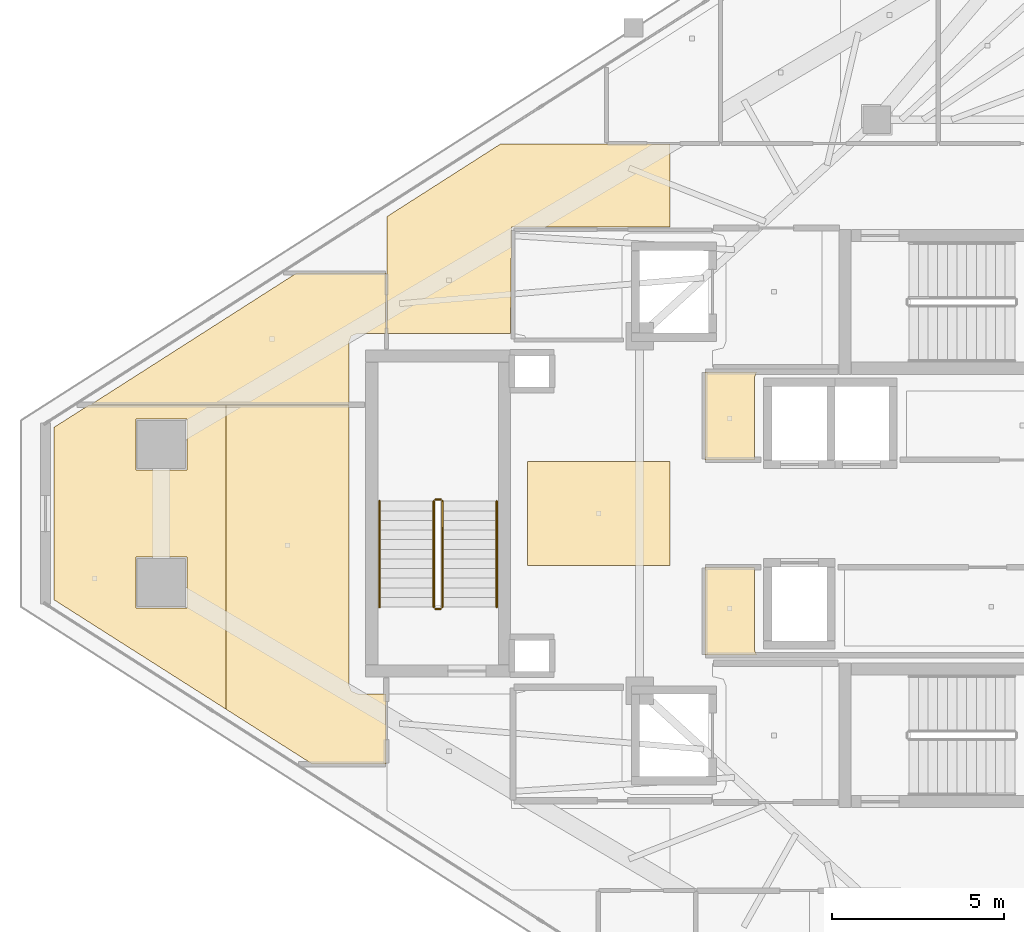
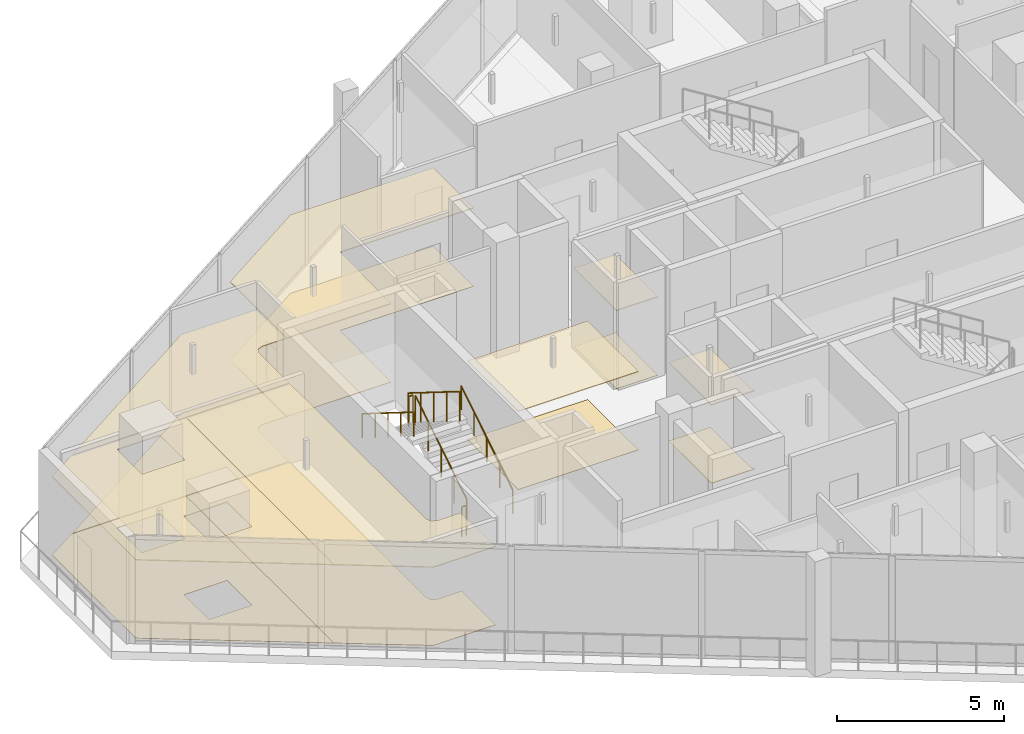
# One storey, part 21 of 24: 14 coverings, 6 railings.
"""IFC4 building model written with IfcOpenShell, lengths in metres."""

import ifcopenshell
import ifcopenshell.guid

model = None  # the IFC model being written
_history = None  # IfcOwnerHistory: only IFC2X3 demands one
_inside = {}  # id of a spatial element -> (the spatial element, [elements in it])
_under = {}  # id of a project, library or spatial element -> (it, [spatial elements below it])
_declared = {}  # id of a project -> (the project, [libraries it declares])
_typed = {}  # id of a type object -> (the type object, [elements of that type])
_made_of = {}  # id of a material, layer set ... -> (it, [elements and type objects made of it])


def new_model(schema):
    """Start an empty IFC model of exactly this schema.

    Asked for "IFC4X3", IfcOpenShell would pick the latest addendum, in which some entities
    have other attributes; the version numbers below select the first issue.
    IFC2X3 requires an IfcOwnerHistory on every rooted entity: one is made here for all.
    """
    global model, _history
    if schema == "IFC4X3":
        model = ifcopenshell.file(schema_version=(4, 3, 0, 0))
    else:
        model = ifcopenshell.file(schema=schema)
    _inside.clear()
    _under.clear()
    _declared.clear()
    _typed.clear()
    _made_of.clear()
    _history = None
    if model.schema == "IFC2X3":
        org = make("IfcOrganization", Name="unknown")
        user = make(
            "IfcPersonAndOrganization",
            ThePerson=make("IfcPerson", FamilyName="unknown"),
            TheOrganization=org,
        )
        app = make(
            "IfcApplication",
            ApplicationDeveloper=org,
            Version="unknown",
            ApplicationFullName="unknown",
            ApplicationIdentifier="unknown",
        )
        _history = make(
            "IfcOwnerHistory",
            OwningUser=user,
            OwningApplication=app,
            ChangeAction="ADDED",
            CreationDate=0,
        )
    return model


def make(cls, **values):
    """One entity of the class cls with the attributes given. An attribute that is None is left unset."""
    return model.create_entity(
        cls, **{name: value for name, value in values.items() if value is not None}
    )


def rooted(cls, **values):
    """An entity with a GlobalId (a new one), such as an element, a storey or a relation."""
    return make(cls, GlobalId=ifcopenshell.guid.new(), OwnerHistory=_history, **values)


def si_unit(unit_type, name, prefix=None):
    """IfcSIUnit, for example si_unit("LENGTHUNIT", "METRE", prefix="MILLI")."""
    return make("IfcSIUnit", UnitType=unit_type, Prefix=prefix, Name=name)


def assignment(units):
    """IfcUnitAssignment: the units of a project."""
    return None if units is None else make("IfcUnitAssignment", Units=units)


def point(xyz):
    """IfcCartesianPoint."""
    return None if xyz is None else make("IfcCartesianPoint", Coordinates=xyz)


def direction(xyz):
    """IfcDirection."""
    return None if xyz is None else make("IfcDirection", DirectionRatios=xyz)


def frame(location, z_axis=None, x_axis=None):
    """IfcAxis2Placement3D, a coordinate frame: its origin and axes. An axis left out is left unset."""
    return make(
        "IfcAxis2Placement3D",
        Location=point(location),
        Axis=direction(z_axis),
        RefDirection=direction(x_axis),
    )


def frame_2d(location, x_axis=None):
    """IfcAxis2Placement2D, a coordinate frame in the plane: its origin and x axis."""
    return make(
        "IfcAxis2Placement2D", Location=point(location), RefDirection=direction(x_axis)
    )


def origin():
    """The frame at (0, 0, 0) with its axes left unset."""
    return frame((0.0, 0.0, 0.0))


def origin_2d():
    """The frame at (0, 0) in the plane with its x axis left unset."""
    return frame_2d((0.0, 0.0))


def place(relative_to, where):
    """IfcLocalPlacement: puts the frame where relative to a parent placement (None: the world)."""
    return make(
        "IfcLocalPlacement", PlacementRelTo=relative_to, RelativePlacement=where
    )


def context(
    kind, dimensions, precision=None, world=None, true_north=None, identifier=None
):
    """IfcGeometricRepresentationContext, for example the 3D "Model" context."""
    return make(
        "IfcGeometricRepresentationContext",
        ContextIdentifier=identifier,
        ContextType=kind,
        CoordinateSpaceDimension=dimensions,
        Precision=precision,
        WorldCoordinateSystem=world,
        TrueNorth=true_north,
    )


def subcontext(parent, identifier, kind, view, scale=None):
    """IfcGeometricRepresentationSubContext, for example "Body" below "Model"."""
    return make(
        "IfcGeometricRepresentationSubContext",
        ContextIdentifier=identifier,
        ContextType=kind,
        ParentContext=parent,
        TargetScale=scale,
        TargetView=view,
    )


def project(units=None, contexts=None):
    """IfcProject with its units and contexts."""
    return rooted(
        "IfcProject",
        Name="project",
        RepresentationContexts=contexts,
        UnitsInContext=assignment(units),
    )


def spatial(cls, under=None, at=None, **own):
    """A site, building, storey or space (cls), placed at a placement, below another one or the project."""
    s = rooted(cls, ObjectPlacement=at, **own)
    if under is not None:
        _under.setdefault(under.id(), (under, []))[1].append(s)
    return s


def polyline(points):
    """IfcPolyline through the points."""
    return make("IfcPolyline", Points=[point(p) for p in points])


def profile(cls, at=None, kind="AREA", **sizes):
    """A parametric profile (cls). Its sizes go by their IFC names, for example OverallWidth=200.0."""
    return make(cls, ProfileType=kind, Position=at, **sizes)


def circle(**sizes):
    """IfcCircleProfileDef."""
    return profile("IfcCircleProfileDef", **sizes)


def outline(outer, holes=None, kind="AREA"):
    """IfcArbitraryClosedProfileDef: a profile drawn as a closed curve; with holes, ...WithVoids."""
    if holes is None:
        return make("IfcArbitraryClosedProfileDef", ProfileType=kind, OuterCurve=outer)
    return make(
        "IfcArbitraryProfileDefWithVoids",
        ProfileType=kind,
        OuterCurve=outer,
        InnerCurves=holes,
    )


def extrude(swept, where, along, depth):
    """IfcExtrudedAreaSolid: the profile swept, set in the frame where, extruded along a direction by depth."""
    return make(
        "IfcExtrudedAreaSolid",
        SweptArea=swept,
        Position=where,
        ExtrudedDirection=direction(along),
        Depth=depth,
    )


def shape(context_of_items, identifier, shape_type, items):
    """IfcShapeRepresentation: the items that make up one representation, for example the "Body"."""
    return make(
        "IfcShapeRepresentation",
        ContextOfItems=context_of_items,
        RepresentationIdentifier=identifier,
        RepresentationType=shape_type,
        Items=items,
    )


def material(Name=None, Category=None):
    """IfcMaterial."""
    return make("IfcMaterial", Name=Name, Category=Category)


def layer(
    of_material, thickness, ventilated=None, Name=None, Category=None, Priority=None
):
    """IfcMaterialLayer: one layer of a wall or slab, of a material (None: an air gap)."""
    return make(
        "IfcMaterialLayer",
        Material=of_material,
        LayerThickness=thickness,
        IsVentilated=ventilated,
        Name=Name,
        Category=Category,
        Priority=Priority,
    )


def layer_set(layers, Name=None):
    """IfcMaterialLayerSet."""
    return make("IfcMaterialLayerSet", MaterialLayers=layers, LayerSetName=Name)


def made_of(thing, what):
    """Note that an element or type object is made of a material, layer set ...; save() writes the relation."""
    if what is not None:
        _made_of.setdefault(what.id(), (what, []))[1].append(thing)
    return thing


def type_object(cls, material=None, **own):
    """A type object (cls), such as IfcWallType, which elements share."""
    return made_of(rooted(cls, **own), material)


def element(
    cls,
    number,
    at=None,
    inside=None,
    cuts=None,
    type_object=None,
    material=None,
    context=None,
    identifier="Body",
    shape_type=None,
    held_by="IfcProductDefinitionShape",
    body=None,
    shapes=None,
    **own,
):
    """One element of the class cls, such as IfcWall. Its Tag is "e" and its number.

    at: its placement. inside: the storey or other place that contains it. cuts: it is an
    opening in that element (IfcRelVoidsElement). A single representation is given by context,
    identifier, shape_type and body (its items); several are given by shapes. held_by: the class
    of the entity that holds the representations. save() writes the other relations.
    """
    e = rooted(cls, Tag="e%d" % number, ObjectPlacement=at, **own)
    if body is not None:
        shapes = [shape(context, identifier, shape_type, body)]
    if shapes is not None:
        e.Representation = make(held_by, Representations=shapes)
    if inside is not None:
        _inside.setdefault(inside.id(), (inside, []))[1].append(e)
    if cuts is not None:
        rooted(
            "IfcRelVoidsElement", RelatingBuildingElement=cuts, RelatedOpeningElement=e
        )
    if type_object is not None:
        _typed.setdefault(type_object.id(), (type_object, []))[1].append(e)
    return made_of(e, material)


def aggregate(whole, parts):
    """IfcRelAggregates: a whole, such as a stair, and the parts it consists of."""
    return rooted("IfcRelAggregates", RelatingObject=whole, RelatedObjects=parts)


def save(model, path):
    """Write the relations noted so far, then the file.

    IfcRelAggregates (storeys below a building ...), IfcRelContainedInSpatialStructure (elements
    in a storey), IfcRelDefinesByType, IfcRelAssociatesMaterial and IfcRelDeclares: one each for
    every whole, place, type object, material and project.
    """
    for whole, parts in _under.values():
        aggregate(whole, parts)
    for where, things in _inside.values():
        rooted(
            "IfcRelContainedInSpatialStructure",
            RelatedElements=things,
            RelatingStructure=where,
        )
    for kind, things in _typed.values():
        rooted("IfcRelDefinesByType", RelatedObjects=things, RelatingType=kind)
    for what, things in _made_of.values():
        rooted("IfcRelAssociatesMaterial", RelatedObjects=things, RelatingMaterial=what)
    for by, libraries in _declared.values():
        rooted("IfcRelDeclares", RelatingContext=by, RelatedDefinitions=libraries)
    model.write(path)


model = new_model("IFC4")

# Units and contexts
model_context = context("Model", 3, precision=1e-05, world=origin(), true_north=direction((0.0, 1.0)))
body_context = subcontext(model_context, "Body", "Model", "MODEL_VIEW")
ifc_project = project(units=[si_unit("LENGTHUNIT", "METRE"), si_unit("AREAUNIT", "SQUARE_METRE"), si_unit("VOLUMEUNIT", "CUBIC_METRE"), si_unit("PLANEANGLEUNIT", "RADIAN"), si_unit("MASSUNIT", "GRAM", prefix="KILO")], contexts=[model_context])

# Site, building, storey
site_placement = place(None, origin())
site = spatial("IfcSite", under=ifc_project, at=site_placement, CompositionType="ELEMENT")
building_placement = place(site_placement, origin())
building = spatial("IfcBuilding", under=site, at=building_placement, Name="Qorvath Tower", CompositionType="ELEMENT")
storey_placement = place(building_placement, frame((0.0, 0.0, 318.60009765625)))
storey = spatial("IfcBuildingStorey", under=building, at=storey_placement, Name="L74", CompositionType="ELEMENT", Elevation=318.60009765625)

# Coverings
ifc_material_1 = material(Name="Acoustic mineral fibre ceiling tile", Category="gypsum")
ifc_layer_1 = layer(ifc_material_1, 0.030029296875)
ifc_layer_set_1 = layer_set([ifc_layer_1], Name="COV-CEIL")
covering_type_1 = type_object("IfcCoveringType", Name="COV-CEIL", PredefinedType="CEILING", material=ifc_layer_set_1)
covering_1_placement = place(storey_placement, frame((0.0, 0.0, 2.849853515625)))
element("IfcCovering", 1, at=covering_1_placement, inside=storey, type_object=covering_type_1, Name="L74 Suspended Acoustic Ceiling 004", PredefinedType="CEILING", context=body_context, shape_type="SweptSolid", body=[
    extrude(outline(polyline([(-27.159912109375, 1.56494140625), (-27.159912109375, 3.9599609375), (-27.095703125, 4.114990234375), (-28.594970703125, 4.114990234375), (-28.594970703125, 1.56494140625), (-27.159912109375, 1.56494140625)])), origin(), (0.0, 0.0, 1.0), 0.030029296875),
])
covering_2_placement = place(storey_placement, frame((0.0, 0.0, 2.849853515625)))
element("IfcCovering", 2, at=covering_2_placement, inside=storey, type_object=covering_type_1, Name="L74 Suspended Acoustic Ceiling 006", PredefinedType="CEILING", context=body_context, shape_type="SweptSolid", body=[
    extrude(outline(polyline([(-27.095703125, -4.114990234375), (-27.159912109375, -3.9599609375), (-27.159912109375, -1.56494140625), (-28.594970703125, -1.56494140625), (-28.594970703125, -4.114990234375), (-27.095703125, -4.114990234375)])), origin(), (0.0, 0.0, 1.0), 0.030029296875),
])
covering_3_placement = place(storey_placement, frame((0.0, 0.0, 2.849853515625)))
element("IfcCovering", 3, at=covering_3_placement, inside=storey, type_object=covering_type_1, Name="L74 Suspended Acoustic Ceiling 009", PredefinedType="CEILING", context=body_context, shape_type="SweptSolid", body=[
    extrude(outline(polyline([(-29.614990234375, 8.324951171875), (-29.614990234375, 10.7451171875), (-34.539794921875, 10.7451171875), (-37.844970703125, 8.632568359375), (-37.844970703125, 5.239990234375), (-34.2509765625, 5.239990234375), (-34.219970703125, 8.324951171875), (-29.614990234375, 8.324951171875)])), origin(), (0.0, 0.0, 1.0), 0.030029296875),
])
covering_4_placement = place(storey_placement, frame((0.0, 0.0, 2.849853515625)))
element("IfcCovering", 4, at=covering_4_placement, inside=storey, type_object=covering_type_1, Name="L74 Suspended Acoustic Ceiling 011", PredefinedType="CEILING", context=body_context, shape_type="SweptSolid", body=[
    extrude(outline(polyline([(-29.614990234375, -1.514892578125), (-29.614990234375, 1.514892578125), (-33.760009765625, 1.514892578125), (-33.760009765625, -1.514892578125), (-29.614990234375, -1.514892578125)])), origin(), (0.0, 0.0, 1.0), 0.030029296875),
])
covering_5_placement = place(storey_placement, frame((0.0, 0.0, 2.849853515625)))
element("IfcCovering", 5, at=covering_5_placement, inside=storey, type_object=covering_type_1, Name="L74 Suspended Acoustic Ceiling 034", PredefinedType="CEILING", context=body_context, shape_type="SweptSolid", body=[
    extrude(outline(polyline([(-47.52587890625, 2.504638671875), (-47.529052734375, -2.502197265625), (-42.525634765625, -5.684326171875), (-42.525634765625, 3.152587890625), (-46.5078125, 3.152587890625), (-47.52587890625, 2.504638671875)]), holes=[polyline([(-45.14501953125, -2.75), (-45.14501953125, -1.26513671875), (-43.66015625, -1.26513671875), (-43.66015625, -2.75), (-45.14501953125, -2.75)]), polyline([(-45.14501953125, 1.26513671875), (-45.14501953125, 2.75), (-43.66015625, 2.75), (-43.66015625, 1.26513671875), (-45.14501953125, 1.26513671875)])]), origin(), (0.0, 0.0, 1.0), 0.030029296875),
])
covering_6_placement = place(storey_placement, frame((0.0, 0.0, 2.849853515625)))
element("IfcCovering", 6, at=covering_6_placement, inside=storey, type_object=covering_type_1, Name="L74 Suspended Acoustic Ceiling 035", PredefinedType="CEILING", context=body_context, shape_type="SweptSolid", body=[
    extrude(outline(polyline([(-42.525634765625, 3.152587890625), (-42.525634765625, -5.684326171875), (-40.023193359375, -7.276123046875), (-37.863037109375, -7.276123046875), (-37.863037109375, -5.239990234375), (-38.699951171875, -5.239990234375), (-38.876708984375, -5.166748046875), (-38.949951171875, -4.989990234375), (-38.949951171875, 3.152587890625), (-42.525634765625, 3.152587890625)])), origin(), (0.0, 0.0, 1.0), 0.030029296875),
])
covering_7_placement = place(storey_placement, frame((0.0, 0.0, 2.849853515625)))
element("IfcCovering", 7, at=covering_7_placement, inside=storey, type_object=covering_type_1, Name="L74 Suspended Acoustic Ceiling 036", PredefinedType="CEILING", context=body_context, shape_type="SweptSolid", body=[
    extrude(outline(polyline([(-38.949951171875, 3.170654296875), (-38.949951171875, 4.989990234375), (-38.876708984375, 5.166748046875), (-38.699951171875, 5.239990234375), (-37.863037109375, 5.239990234375), (-37.863037109375, 6.990478515625), (-40.47021484375, 6.990478515625), (-46.44677734375, 3.170654296875), (-38.949951171875, 3.170654296875)])), origin(), (0.0, 0.0, 1.0), 0.030029296875),
])
ifc_material_2 = material(Name="Low-VOC modular carpet tile", Category="textile")
ifc_layer_2 = layer(ifc_material_2, 0.014892578125)
ifc_layer_set_2 = layer_set([ifc_layer_2], Name="COV-FLOOR-CPT")
covering_type_2 = type_object("IfcCoveringType", Name="COV-FLOOR-CPT", PredefinedType="FLOORING", material=ifc_layer_set_2)
covering_8_placement = place(storey_placement, origin())
element("IfcCovering", 8, at=covering_8_placement, inside=storey, type_object=covering_type_2, Name="L74 Floor Finish 004", PredefinedType="FLOORING", context=body_context, shape_type="SweptSolid", body=[
    extrude(outline(polyline([(-27.159912109375, 1.56494140625), (-27.159912109375, 3.9599609375), (-27.095703125, 4.114990234375), (-28.594970703125, 4.114990234375), (-28.594970703125, 1.56494140625), (-27.159912109375, 1.56494140625)])), origin(), (0.0, 0.0, 1.0), 0.014892578125),
])
covering_9_placement = place(storey_placement, origin())
element("IfcCovering", 9, at=covering_9_placement, inside=storey, type_object=covering_type_2, Name="L74 Floor Finish 006", PredefinedType="FLOORING", context=body_context, shape_type="SweptSolid", body=[
    extrude(outline(polyline([(-27.095703125, -4.114990234375), (-27.159912109375, -3.9599609375), (-27.159912109375, -1.56494140625), (-28.594970703125, -1.56494140625), (-28.594970703125, -4.114990234375), (-27.095703125, -4.114990234375)])), origin(), (0.0, 0.0, 1.0), 0.014892578125),
])
covering_10_placement = place(storey_placement, origin())
element("IfcCovering", 10, at=covering_10_placement, inside=storey, type_object=covering_type_2, Name="L74 Floor Finish 034", PredefinedType="FLOORING", context=body_context, shape_type="SweptSolid", body=[
    extrude(outline(polyline([(-47.52587890625, 2.504638671875), (-47.529052734375, -2.502197265625), (-42.525634765625, -5.684326171875), (-42.525634765625, 3.152587890625), (-46.5078125, 3.152587890625), (-47.52587890625, 2.504638671875)]), holes=[polyline([(-45.14501953125, -2.75), (-45.14501953125, -1.26513671875), (-43.66015625, -1.26513671875), (-43.66015625, -2.75), (-45.14501953125, -2.75)]), polyline([(-45.14501953125, 1.26513671875), (-45.14501953125, 2.75), (-43.66015625, 2.75), (-43.66015625, 1.26513671875), (-45.14501953125, 1.26513671875)])]), origin(), (0.0, 0.0, 1.0), 0.014892578125),
])
covering_11_placement = place(storey_placement, origin())
element("IfcCovering", 11, at=covering_11_placement, inside=storey, type_object=covering_type_2, Name="L74 Floor Finish 035", PredefinedType="FLOORING", context=body_context, shape_type="SweptSolid", body=[
    extrude(outline(polyline([(-42.525634765625, 3.152587890625), (-42.525634765625, -5.684326171875), (-40.023193359375, -7.276123046875), (-37.863037109375, -7.276123046875), (-37.863037109375, -5.239990234375), (-38.699951171875, -5.239990234375), (-38.876708984375, -5.166748046875), (-38.949951171875, -4.989990234375), (-38.949951171875, 3.152587890625), (-42.525634765625, 3.152587890625)])), origin(), (0.0, 0.0, 1.0), 0.014892578125),
])
covering_12_placement = place(storey_placement, origin())
element("IfcCovering", 12, at=covering_12_placement, inside=storey, type_object=covering_type_2, Name="L74 Floor Finish 036", PredefinedType="FLOORING", context=body_context, shape_type="SweptSolid", body=[
    extrude(outline(polyline([(-38.949951171875, 3.170654296875), (-38.949951171875, 4.989990234375), (-38.876708984375, 5.166748046875), (-38.699951171875, 5.239990234375), (-37.863037109375, 5.239990234375), (-37.863037109375, 6.990478515625), (-40.47021484375, 6.990478515625), (-46.44677734375, 3.170654296875), (-38.949951171875, 3.170654296875)])), origin(), (0.0, 0.0, 1.0), 0.014892578125),
])
ifc_material_3 = material(Name="Polished epoxy terrazzo flooring", Category="concrete")
ifc_layer_3 = layer(ifc_material_3, 0.02001953125)
ifc_layer_set_3 = layer_set([ifc_layer_3], Name="COV-FLOOR-TRZ")
covering_type_3 = type_object("IfcCoveringType", Name="COV-FLOOR-TRZ", PredefinedType="FLOORING", material=ifc_layer_set_3)
covering_13_placement = place(storey_placement, origin())
element("IfcCovering", 13, at=covering_13_placement, inside=storey, type_object=covering_type_3, Name="L74 Floor Finish 009", PredefinedType="FLOORING", context=body_context, shape_type="SweptSolid", body=[
    extrude(outline(polyline([(-29.614990234375, 8.324951171875), (-29.614990234375, 10.7451171875), (-34.539794921875, 10.7451171875), (-37.844970703125, 8.632568359375), (-37.844970703125, 5.239990234375), (-34.2509765625, 5.239990234375), (-34.219970703125, 8.324951171875), (-29.614990234375, 8.324951171875)])), origin(), (0.0, 0.0, 1.0), 0.014892578125),
])
covering_14_placement = place(storey_placement, origin())
element("IfcCovering", 14, at=covering_14_placement, inside=storey, type_object=covering_type_3, Name="L74 Floor Finish 011", PredefinedType="FLOORING", context=body_context, shape_type="SweptSolid", body=[
    extrude(outline(polyline([(-29.614990234375, -1.514892578125), (-29.614990234375, 1.514892578125), (-33.760009765625, 1.514892578125), (-33.760009765625, -1.514892578125), (-29.614990234375, -1.514892578125)])), origin(), (0.0, 0.0, 1.0), 0.014892578125),
])

# Railings
ifc_material_4 = material(Name="Painted galvanised steel", Category="steel")
railing_type_1 = type_object("IfcRailingType", Name="RL-STR-GRD", PredefinedType="GUARDRAIL", material=ifc_material_4)
railing_1_placement = place(storey_placement, frame((-36.22998046875, -2.719970703125, 0.1748046875)))
element("IfcRailing", 15, at=railing_1_placement, inside=storey, type_object=railing_type_1, Name="L74 TS3 stair guard 1", PredefinedType="GUARDRAIL", context=body_context, shape_type="SweptSolid", body=[
    extrude(circle(Radius=0.02392578125, at=origin_2d()), frame((0.0, 0.0, 1.076171875), z_axis=(0.0, 0.847998304005, 0.529998940003), x_axis=(-1.0, 0.0, 0.0)), (0.0, 0.0, 1.0), 3.632080078125),
    extrude(circle(Radius=0.02099609375, at=origin_2d()), origin(), (0.0, 0.0, 1.0), 1.052001953125),
    extrude(circle(Radius=0.02099609375, at=origin_2d()), frame((0.0, 0.77001953125, 0.481201171875)), (0.0, 0.0, 1.0), 1.052001953125),
    extrude(circle(Radius=0.02099609375, at=origin_2d()), frame((0.0, 1.5400390625, 0.96240234375)), (0.0, 0.0, 1.0), 1.052001953125),
    extrude(circle(Radius=0.02099609375, at=origin_2d()), frame((0.0, 2.31005859375, 1.44384765625)), (0.0, 0.0, 1.0), 1.052001953125),
    extrude(circle(Radius=0.02099609375, at=origin_2d()), frame((0.0, 3.080078125, 1.925048828125)), (0.0, 0.0, 1.0), 1.052001953125),
])
railing_2_placement = place(storey_placement, frame((-36.280029296875, 0.409912109375, 2.099853515625)))
element("IfcRailing", 16, at=railing_2_placement, inside=storey, type_object=railing_type_1, Name="L74 TS3 stair guard 2", PredefinedType="GUARDRAIL", context=body_context, shape_type="SweptSolid", body=[
    extrude(circle(Radius=0.02392578125, at=origin_2d()), frame((0.0, 0.0, 1.076171875), z_axis=(-1.0, 0.0, 0.0), x_axis=(0.0, -1.0, 0.0)), (0.0, 0.0, 1.0), 0.14990234375),
    extrude(circle(Radius=0.02099609375, at=origin_2d()), origin(), (0.0, 0.0, 1.0), 1.052001953125),
    extrude(circle(Radius=0.02099609375, at=origin_2d()), frame((-0.14990234375, 0.0, 0.0)), (0.0, 0.0, 1.0), 1.052001953125),
])
railing_3_placement = place(storey_placement, frame((-36.47998046875, 0.360107421875, 2.27490234375)))
element("IfcRailing", 17, at=railing_3_placement, inside=storey, type_object=railing_type_1, Name="L74 TS3 stair guard 3", PredefinedType="GUARDRAIL", context=body_context, shape_type="SweptSolid", body=[
    extrude(circle(Radius=0.02392578125, at=origin_2d()), frame((0.0, 0.0, 1.076171875), z_axis=(0.0, -0.847998304005, 0.529998940003), x_axis=(1.0, 0.0, 0.0)), (0.0, 0.0, 1.0), 3.632080078125),
    extrude(circle(Radius=0.02099609375, at=origin_2d()), origin(), (0.0, 0.0, 1.0), 1.052001953125),
    extrude(circle(Radius=0.02099609375, at=origin_2d()), frame((0.0, -0.77001953125, 0.481201171875)), (0.0, 0.0, 1.0), 1.052001953125),
    extrude(circle(Radius=0.02099609375, at=origin_2d()), frame((0.0, -1.5400390625, 0.96240234375)), (0.0, 0.0, 1.0), 1.052001953125),
    extrude(circle(Radius=0.02099609375, at=origin_2d()), frame((0.0, -2.31005859375, 1.44384765625)), (0.0, 0.0, 1.0), 1.052001953125),
    extrude(circle(Radius=0.02099609375, at=origin_2d()), frame((0.0, -3.080078125, 1.925048828125)), (0.0, 0.0, 1.0), 1.052001953125),
])
railing_4_placement = place(storey_placement, frame((-36.280029296875, -2.77001953125, 0.0)))
element("IfcRailing", 18, at=railing_4_placement, inside=storey, type_object=railing_type_1, Name="L74 TS3 stair guard 4", PredefinedType="GUARDRAIL", context=body_context, shape_type="SweptSolid", body=[
    extrude(circle(Radius=0.02392578125, at=origin_2d()), frame((0.0, 0.0, 1.076171875), z_axis=(-1.0, 0.0, 0.0), x_axis=(0.0, -1.0, 0.0)), (0.0, 0.0, 1.0), 0.14990234375),
    extrude(circle(Radius=0.02099609375, at=origin_2d()), origin(), (0.0, 0.0, 1.0), 1.052001953125),
    extrude(circle(Radius=0.02099609375, at=origin_2d()), frame((-0.14990234375, 0.0, 0.0)), (0.0, 0.0, 1.0), 1.052001953125),
])
ifc_material_5 = material(Name="Brushed stainless steel AISI 304", Category="steel")
railing_type_2 = type_object("IfcRailingType", Name="RL-STR-HND", PredefinedType="HANDRAIL", material=ifc_material_5)
railing_5_placement = place(storey_placement, frame((-34.64990234375, -2.719970703125, 0.1748046875)))
element("IfcRailing", 19, at=railing_5_placement, inside=storey, type_object=railing_type_2, Name="L74 TS3 stair handrail 1", PredefinedType="HANDRAIL", context=body_context, shape_type="SweptSolid", body=[
    extrude(circle(Radius=0.02392578125, at=origin_2d()), frame((0.0, 0.0, 0.8759765625), z_axis=(0.0, 0.847998304005, 0.529998940003), x_axis=(-1.0, 0.0, 0.0)), (0.0, 0.0, 1.0), 3.632080078125),
    extrude(circle(Radius=0.02099609375, at=origin_2d()), origin(), (0.0, 0.0, 1.0), 0.851806640625),
    extrude(circle(Radius=0.02099609375, at=origin_2d()), frame((0.0, 0.77001953125, 0.481201171875)), (0.0, 0.0, 1.0), 0.851806640625),
    extrude(circle(Radius=0.02099609375, at=origin_2d()), frame((0.0, 1.5400390625, 0.96240234375)), (0.0, 0.0, 1.0), 0.851806640625),
    extrude(circle(Radius=0.02099609375, at=origin_2d()), frame((0.0, 2.31005859375, 1.44384765625)), (0.0, 0.0, 1.0), 0.851806640625),
    extrude(circle(Radius=0.02099609375, at=origin_2d()), frame((0.0, 3.080078125, 1.925048828125)), (0.0, 0.0, 1.0), 0.851806640625),
])
railing_6_placement = place(storey_placement, frame((-38.06005859375, 0.360107421875, 2.27490234375)))
element("IfcRailing", 20, at=railing_6_placement, inside=storey, type_object=railing_type_2, Name="L74 TS3 stair handrail 2", PredefinedType="HANDRAIL", context=body_context, shape_type="SweptSolid", body=[
    extrude(circle(Radius=0.02392578125, at=origin_2d()), frame((0.0, 0.0, 0.8759765625), z_axis=(0.0, -0.847998304005, 0.529998940003), x_axis=(1.0, 0.0, 0.0)), (0.0, 0.0, 1.0), 3.632080078125),
    extrude(circle(Radius=0.02099609375, at=origin_2d()), origin(), (0.0, 0.0, 1.0), 0.851806640625),
    extrude(circle(Radius=0.02099609375, at=origin_2d()), frame((0.0, -0.77001953125, 0.481201171875)), (0.0, 0.0, 1.0), 0.851806640625),
    extrude(circle(Radius=0.02099609375, at=origin_2d()), frame((0.0, -1.5400390625, 0.96240234375)), (0.0, 0.0, 1.0), 0.851806640625),
    extrude(circle(Radius=0.02099609375, at=origin_2d()), frame((0.0, -2.31005859375, 1.44384765625)), (0.0, 0.0, 1.0), 0.851806640625),
    extrude(circle(Radius=0.02099609375, at=origin_2d()), frame((0.0, -3.080078125, 1.925048828125)), (0.0, 0.0, 1.0), 0.851806640625),
])

save(model, "model.ifc")
